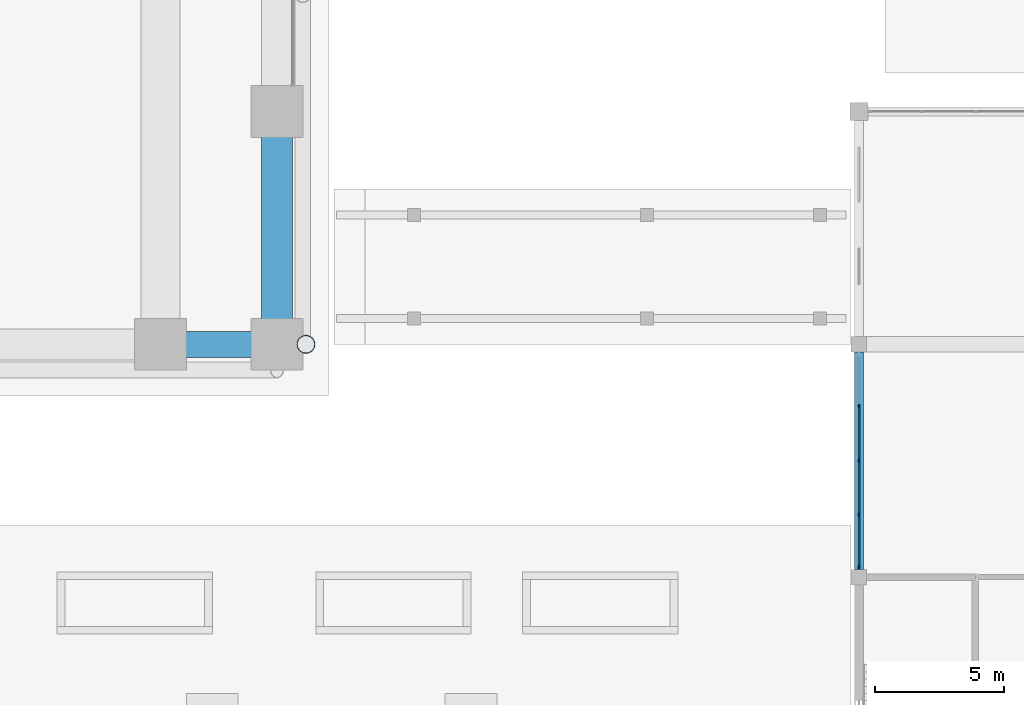
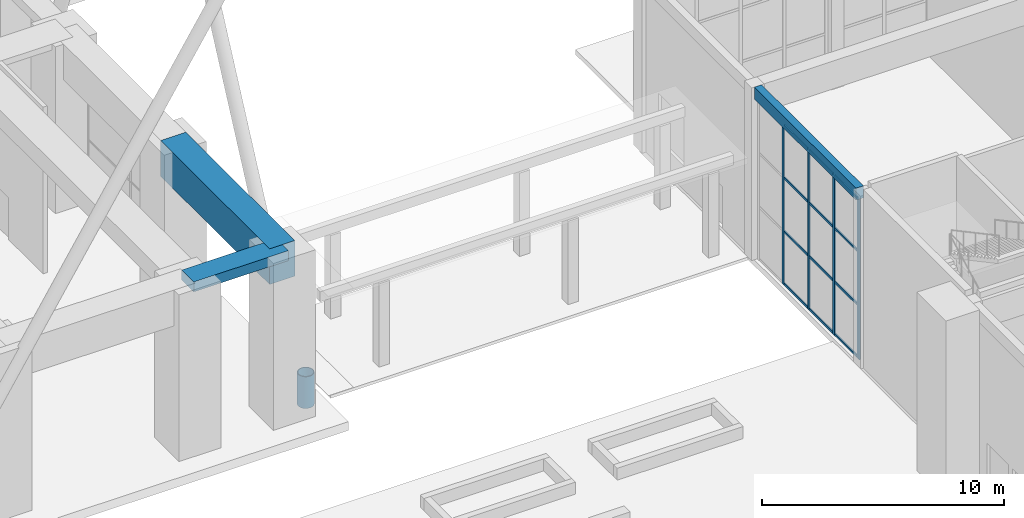
# One storey, part 12 of 44: 17 members, 3 beams, 1 element without a shape of its own.
"""IFC4 building model written with IfcOpenShell, lengths in metres."""

from ifc_helpers import new_model, si_unit, direction, frame, origin, origin_2d, place, context, subcontext, project, spatial, rectangle, hollow_circle, extrude, material, material_profile, profile_set, type_object, element, aggregate, save


model = new_model("IFC4")

# Units and contexts
model_context = context("Model", 3, precision=1e-05, world=origin(), true_north=direction((0.0, 1.0)))
body_context = subcontext(model_context, "Body", "Model", "MODEL_VIEW")
ifc_project = project(units=[si_unit("LENGTHUNIT", "METRE"), si_unit("AREAUNIT", "SQUARE_METRE"), si_unit("VOLUMEUNIT", "CUBIC_METRE"), si_unit("PLANEANGLEUNIT", "RADIAN"), si_unit("MASSUNIT", "GRAM", prefix="KILO")], contexts=[model_context])

# Site, building, storey
site_placement = place(None, origin())
site = spatial("IfcSite", under=ifc_project, at=site_placement, CompositionType="ELEMENT")
building_placement = place(site_placement, origin())
building = spatial("IfcBuilding", under=site, at=building_placement, Name="Firuza Court", CompositionType="ELEMENT")
storey_placement = place(building_placement, origin())
storey = spatial("IfcBuildingStorey", under=building, at=storey_placement, Name="L00", CompositionType="ELEMENT", Elevation=0.0)

# Curtain wall, members
ifc_material_1 = material(Name="Aluminium", Category="aluminium")
curtain_wall_type = type_object("IfcCurtainWallType", Name="CW6 FOYER CURTAIN WALL", PredefinedType="NOTDEFINED", material=ifc_material_1)
curtain_wall_placement = place(storey_placement, origin())
curtain_wall = element("IfcCurtainWall", 1, at=curtain_wall_placement, inside=storey, type_object=curtain_wall_type, Name="CW6 foyer curtain wall 2", PredefinedType="NOTDEFINED")
ifc_material_2 = material(Name="Aluminium", Category="aluminium")
ifc_material_profile_1 = material_profile(ifc_material_2, rectangle(XDim=0.06005859375, YDim=0.159912109375, at=origin_2d()), Name="MULLION 60X160")
ifc_profile_set_1 = profile_set([ifc_material_profile_1], Name="Aluminium")
member_type_1 = type_object("IfcMemberType", Name="CW6 MULLION 60X160", PredefinedType="MULLION", material=ifc_profile_set_1)
member_1_placement = place(storey_placement, frame((90.0, 27.3798828125, 0.0), z_axis=(0.0, 0.0, 1.0), x_axis=(-1.0, 0.0, 0.0)))
member_1 = element("IfcMember", 2, at=member_1_placement, type_object=member_type_1, Name="CW6 mullion 1", PredefinedType="MULLION", context=body_context, shape_type="SweptSolid", body=[
    extrude(rectangle(XDim=0.06005859375, YDim=0.159912109375, at=origin_2d()), origin(), (0.0, 0.0, 1.0), 8.10009765625),
])
member_2_placement = place(storey_placement, frame((90.0, 29.39990234375, 0.0), z_axis=(0.0, 0.0, 1.0), x_axis=(-1.0, 0.0, 0.0)))
member_2 = element("IfcMember", 3, at=member_2_placement, type_object=member_type_1, Name="CW6 mullion 2", PredefinedType="MULLION", context=body_context, shape_type="SweptSolid", body=[
    extrude(rectangle(XDim=0.06005859375, YDim=0.159912109375, at=origin_2d()), origin(), (0.0, 0.0, 1.0), 8.10009765625),
])
member_3_placement = place(storey_placement, frame((90.0, 31.5, 0.0), z_axis=(0.0, 0.0, 1.0), x_axis=(-1.0, 0.0, 0.0)))
member_3 = element("IfcMember", 4, at=member_3_placement, type_object=member_type_1, Name="CW6 mullion 3", PredefinedType="MULLION", context=body_context, shape_type="SweptSolid", body=[
    extrude(rectangle(XDim=0.06005859375, YDim=0.159912109375, at=origin_2d()), origin(), (0.0, 0.0, 1.0), 8.10009765625),
])
member_4_placement = place(storey_placement, frame((90.0, 33.60009765625, 0.0), z_axis=(0.0, 0.0, 1.0), x_axis=(-1.0, 0.0, 0.0)))
member_4 = element("IfcMember", 5, at=member_4_placement, type_object=member_type_1, Name="CW6 mullion 4", PredefinedType="MULLION", context=body_context, shape_type="SweptSolid", body=[
    extrude(rectangle(XDim=0.06005859375, YDim=0.159912109375, at=origin_2d()), origin(), (0.0, 0.0, 1.0), 8.10009765625),
])
ifc_material_3 = material(Name="Aluminium", Category="aluminium")
ifc_material_profile_2 = material_profile(ifc_material_3, rectangle(XDim=0.06005859375, YDim=0.1201171875, at=origin_2d()), Name="TRANSOM 60X120")
ifc_profile_set_2 = profile_set([ifc_material_profile_2], Name="Aluminium")
member_type_2 = type_object("IfcMemberType", Name="CW6 TRANSOM 60X120", PredefinedType="USERDEFINED", material=ifc_profile_set_2)
member_5_placement = place(storey_placement, frame((90.0, 27.4599609375, 0.06005859375), z_axis=(0.0, 1.0, 0.0), x_axis=(-1.0, 0.0, 0.0)))
member_5 = element("IfcMember", 6, at=member_5_placement, type_object=member_type_2, Name="CW6 transom 1.1", ObjectType="TRANSOM", PredefinedType="USERDEFINED", context=body_context, shape_type="SweptSolid", body=[
    extrude(rectangle(XDim=0.06005859375, YDim=0.1201171875, at=origin_2d()), origin(), (0.0, 0.0, 1.0), 1.860107421875),
])
member_6_placement = place(storey_placement, frame((90.0, 27.4599609375, 2.699951171875), z_axis=(0.0, 1.0, 0.0), x_axis=(-1.0, 0.0, 0.0)))
member_6 = element("IfcMember", 7, at=member_6_placement, type_object=member_type_2, Name="CW6 transom 1.2", ObjectType="TRANSOM", PredefinedType="USERDEFINED", context=body_context, shape_type="SweptSolid", body=[
    extrude(rectangle(XDim=0.06005859375, YDim=0.1201171875, at=origin_2d()), origin(), (0.0, 0.0, 1.0), 1.860107421875),
])
member_7_placement = place(storey_placement, frame((90.0, 27.4599609375, 5.39990234375), z_axis=(0.0, 1.0, 0.0), x_axis=(-1.0, 0.0, 0.0)))
member_7 = element("IfcMember", 8, at=member_7_placement, type_object=member_type_2, Name="CW6 transom 1.3", ObjectType="TRANSOM", PredefinedType="USERDEFINED", context=body_context, shape_type="SweptSolid", body=[
    extrude(rectangle(XDim=0.06005859375, YDim=0.1201171875, at=origin_2d()), origin(), (0.0, 0.0, 1.0), 1.860107421875),
])
member_8_placement = place(storey_placement, frame((90.0, 27.4599609375, 8.0400390625), z_axis=(0.0, 1.0, 0.0), x_axis=(-1.0, 0.0, 0.0)))
member_8 = element("IfcMember", 9, at=member_8_placement, type_object=member_type_2, Name="CW6 transom 1.4", ObjectType="TRANSOM", PredefinedType="USERDEFINED", context=body_context, shape_type="SweptSolid", body=[
    extrude(rectangle(XDim=0.06005859375, YDim=0.1201171875, at=origin_2d()), origin(), (0.0, 0.0, 1.0), 1.860107421875),
])
member_9_placement = place(storey_placement, frame((90.0, 29.47998046875, 0.06005859375), z_axis=(0.0, 1.0, 0.0), x_axis=(-1.0, 0.0, 0.0)))
member_9 = element("IfcMember", 10, at=member_9_placement, type_object=member_type_2, Name="CW6 transom 2.1", ObjectType="TRANSOM", PredefinedType="USERDEFINED", context=body_context, shape_type="SweptSolid", body=[
    extrude(rectangle(XDim=0.06005859375, YDim=0.1201171875, at=origin_2d()), origin(), (0.0, 0.0, 1.0), 1.93994140625),
])
member_10_placement = place(storey_placement, frame((90.0, 29.47998046875, 2.699951171875), z_axis=(0.0, 1.0, 0.0), x_axis=(-1.0, 0.0, 0.0)))
member_10 = element("IfcMember", 11, at=member_10_placement, type_object=member_type_2, Name="CW6 transom 2.2", ObjectType="TRANSOM", PredefinedType="USERDEFINED", context=body_context, shape_type="SweptSolid", body=[
    extrude(rectangle(XDim=0.06005859375, YDim=0.1201171875, at=origin_2d()), origin(), (0.0, 0.0, 1.0), 1.93994140625),
])
member_11_placement = place(storey_placement, frame((90.0, 29.47998046875, 5.39990234375), z_axis=(0.0, 1.0, 0.0), x_axis=(-1.0, 0.0, 0.0)))
member_11 = element("IfcMember", 12, at=member_11_placement, type_object=member_type_2, Name="CW6 transom 2.3", ObjectType="TRANSOM", PredefinedType="USERDEFINED", context=body_context, shape_type="SweptSolid", body=[
    extrude(rectangle(XDim=0.06005859375, YDim=0.1201171875, at=origin_2d()), origin(), (0.0, 0.0, 1.0), 1.93994140625),
])
member_12_placement = place(storey_placement, frame((90.0, 29.47998046875, 8.0400390625), z_axis=(0.0, 1.0, 0.0), x_axis=(-1.0, 0.0, 0.0)))
member_12 = element("IfcMember", 13, at=member_12_placement, type_object=member_type_2, Name="CW6 transom 2.4", ObjectType="TRANSOM", PredefinedType="USERDEFINED", context=body_context, shape_type="SweptSolid", body=[
    extrude(rectangle(XDim=0.06005859375, YDim=0.1201171875, at=origin_2d()), origin(), (0.0, 0.0, 1.0), 1.93994140625),
])
member_13_placement = place(storey_placement, frame((90.0, 31.580078125, 0.06005859375), z_axis=(0.0, 1.0, 0.0), x_axis=(-1.0, 0.0, 0.0)))
member_13 = element("IfcMember", 14, at=member_13_placement, type_object=member_type_2, Name="CW6 transom 3.1", ObjectType="TRANSOM", PredefinedType="USERDEFINED", context=body_context, shape_type="SweptSolid", body=[
    extrude(rectangle(XDim=0.06005859375, YDim=0.1201171875, at=origin_2d()), origin(), (0.0, 0.0, 1.0), 1.93994140625),
])
member_14_placement = place(storey_placement, frame((90.0, 31.580078125, 2.699951171875), z_axis=(0.0, 1.0, 0.0), x_axis=(-1.0, 0.0, 0.0)))
member_14 = element("IfcMember", 15, at=member_14_placement, type_object=member_type_2, Name="CW6 transom 3.2", ObjectType="TRANSOM", PredefinedType="USERDEFINED", context=body_context, shape_type="SweptSolid", body=[
    extrude(rectangle(XDim=0.06005859375, YDim=0.1201171875, at=origin_2d()), origin(), (0.0, 0.0, 1.0), 1.93994140625),
])
member_15_placement = place(storey_placement, frame((90.0, 31.580078125, 5.39990234375), z_axis=(0.0, 1.0, 0.0), x_axis=(-1.0, 0.0, 0.0)))
member_15 = element("IfcMember", 16, at=member_15_placement, type_object=member_type_2, Name="CW6 transom 3.3", ObjectType="TRANSOM", PredefinedType="USERDEFINED", context=body_context, shape_type="SweptSolid", body=[
    extrude(rectangle(XDim=0.06005859375, YDim=0.1201171875, at=origin_2d()), origin(), (0.0, 0.0, 1.0), 1.93994140625),
])
member_16_placement = place(storey_placement, frame((90.0, 31.580078125, 8.0400390625), z_axis=(0.0, 1.0, 0.0), x_axis=(-1.0, 0.0, 0.0)))
member_16 = element("IfcMember", 17, at=member_16_placement, type_object=member_type_2, Name="CW6 transom 3.4", ObjectType="TRANSOM", PredefinedType="USERDEFINED", context=body_context, shape_type="SweptSolid", body=[
    extrude(rectangle(XDim=0.06005859375, YDim=0.1201171875, at=origin_2d()), origin(), (0.0, 0.0, 1.0), 1.93994140625),
])
aggregate(curtain_wall, [member_1, member_2, member_3, member_4, member_5, member_6, member_7, member_8, member_9, member_10, member_11, member_12, member_13, member_14, member_15, member_16])

# Member
ifc_material_4 = material(Name="Steel S355", Category="steel")
ifc_material_profile_3 = material_profile(ifc_material_4, hollow_circle(Radius=0.35546875, WallThickness=0.030029296875, at=origin_2d()), Name="CHS 711x30")
ifc_profile_set_3 = profile_set([ifc_material_profile_3], Name="Steel S355")
member_type_3 = type_object("IfcMemberType", Name="Diagrid node CHS 711x30 S355", PredefinedType="USERDEFINED", material=ifc_profile_set_3)
member_17_placement = place(storey_placement, frame((68.6201171875, 36.0, 0.0), z_axis=(0.0, 0.0, 1.0), x_axis=(1.0, 0.0, 0.0)))
element("IfcMember", 18, at=member_17_placement, inside=storey, type_object=member_type_3, Name="Diagrid node level L00", ObjectType="DIAGRID NODE", PredefinedType="USERDEFINED", context=body_context, shape_type="SweptSolid", body=[
    extrude(hollow_circle(Radius=0.35546875, WallThickness=0.030029296875, at=origin_2d()), origin(), (0.0, 0.0, 1.0), 1.60009765625),
])

# Beams
ifc_material_5 = material(Name="Concrete C40/50", Category="concrete")
ifc_material_profile_4 = material_profile(ifc_material_5, rectangle(XDim=0.35009765625, YDim=0.60009765625, at=origin_2d()), Name="RC 350X600")
ifc_profile_set_4 = profile_set([ifc_material_profile_4], Name="Concrete C40/50")
beam_type_1 = type_object("IfcBeamType", Name="RC SPANDREL BEAM 350X600", PredefinedType="BEAM", material=ifc_profile_set_4)
beam_1_placement = place(storey_placement, frame((90.0, 27.300048828125, 8.39990234375), z_axis=(0.0, 1.0, 0.0), x_axis=(-1.0, 0.0, 0.0)))
element("IfcBeam", 19, at=beam_1_placement, inside=storey, type_object=beam_type_1, Name="Edge beam W2.1 L00", PredefinedType="BEAM", context=body_context, shape_type="SweptSolid", body=[
    extrude(rectangle(XDim=0.35009765625, YDim=0.60009765625, at=origin_2d()), origin(), (0.0, 0.0, 1.0), 8.39990234375),
])
ifc_material_6 = material(Name="Concrete C40/50", Category="concrete")
ifc_material_profile_5 = material_profile(ifc_material_6, rectangle(XDim=1.0, YDim=0.5, at=origin_2d()), Name="RC 1000x500")
ifc_profile_set_5 = profile_set([ifc_material_profile_5], Name="Concrete C40/50")
beam_type_2 = type_object("IfcBeamType", Name="Spandrel beam RC 1000x500 C40/50", PredefinedType="BEAM", material=ifc_profile_set_5)
beam_2_placement = place(storey_placement, frame((63.0, 36.0, 8.14990234375), z_axis=(1.0, 0.0, 0.0), x_axis=(0.0, 1.0, 0.0)))
element("IfcBeam", 20, at=beam_2_placement, inside=storey, type_object=beam_type_2, Name="Spandrel beam SP7 level L01", PredefinedType="BEAM", context=body_context, shape_type="SweptSolid", body=[
    extrude(rectangle(XDim=1.0, YDim=0.5, at=origin_2d()), origin(), (0.0, 0.0, 1.0), 4.5),
])
ifc_material_7 = material(Name="Concrete C60/75", Category="concrete")
ifc_material_profile_6 = material_profile(ifc_material_7, rectangle(XDim=1.199951171875, YDim=1.800048828125, at=origin_2d()), Name="RC 1200x1800")
ifc_profile_set_6 = profile_set([ifc_material_profile_6], Name="Concrete C60/75")
beam_type_3 = type_object("IfcBeamType", Name="Transfer girder RC 1200x1800 C60/75", PredefinedType="USERDEFINED", material=ifc_profile_set_6)
beam_3_placement = place(storey_placement, frame((67.5, 36.0, 7.5), z_axis=(0.0, 1.0, 0.0), x_axis=(-1.0, 0.0, 0.0)))
element("IfcBeam", 21, at=beam_3_placement, inside=storey, type_object=beam_type_3, Name="Transfer girder TG3 level L01", ObjectType="TRANSFER GIRDER", PredefinedType="USERDEFINED", context=body_context, shape_type="SweptSolid", body=[
    extrude(rectangle(XDim=1.199951171875, YDim=1.800048828125, at=origin_2d()), origin(), (0.0, 0.0, 1.0), 9.0),
])

save(model, "model.ifc")
